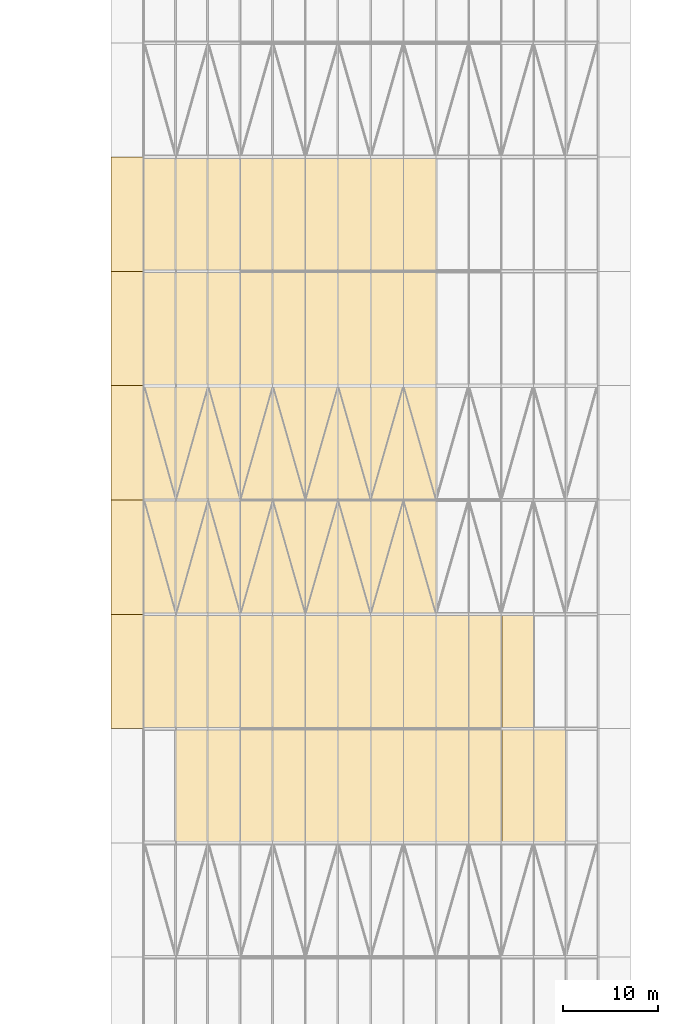
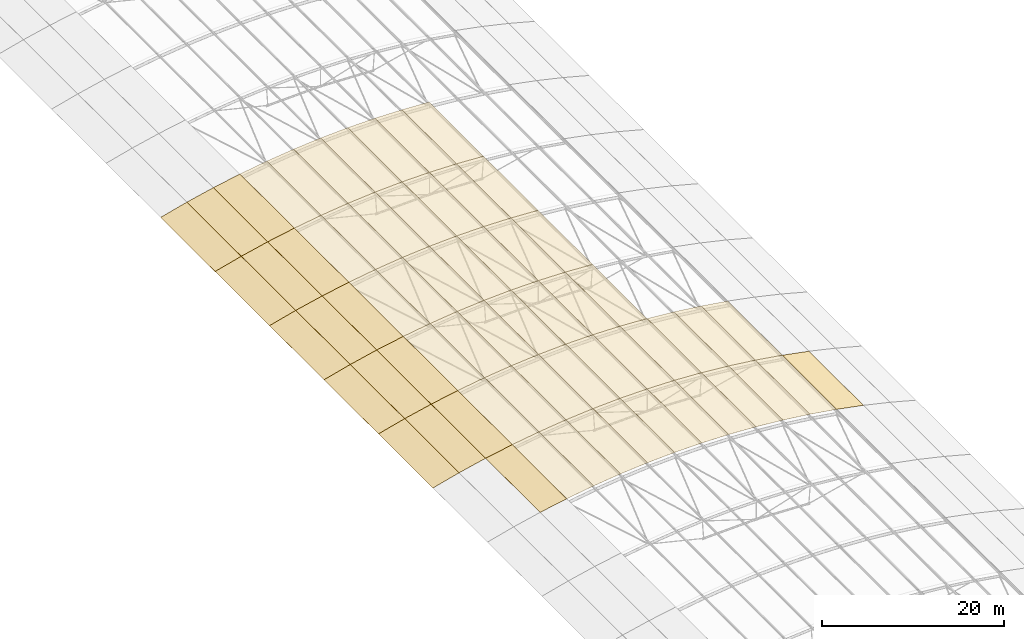
# One storey, part 87 of 91: 65 coverings.
"""IFC4 building model written with IfcOpenShell, lengths in metres."""

from ifc_helpers import new_model, si_unit, direction, frame, origin, place, context, subcontext, project, spatial, polyline, outline, extrude, material, layer, layer_set, type_object, element, save


model = new_model("IFC4")

# Units and contexts
model_context = context("Model", 3, precision=1e-05, world=origin(), true_north=direction((0.0, 1.0)))
body_context = subcontext(model_context, "Body", "Model", "MODEL_VIEW")
ifc_project = project(units=[si_unit("LENGTHUNIT", "METRE"), si_unit("AREAUNIT", "SQUARE_METRE"), si_unit("VOLUMEUNIT", "CUBIC_METRE"), si_unit("PLANEANGLEUNIT", "RADIAN"), si_unit("MASSUNIT", "GRAM", prefix="KILO")], contexts=[model_context])

# Site, building, storey
site_placement = place(None, origin())
site = spatial("IfcSite", under=ifc_project, at=site_placement, CompositionType="ELEMENT")
building_placement = place(site_placement, origin())
building = spatial("IfcBuilding", under=site, at=building_placement, Name="Ravi Spectrum Wholesale Market", CompositionType="ELEMENT")
storey_placement = place(building_placement, frame((0.0, 0.0, 16.199951171875)))
storey = spatial("IfcBuildingStorey", under=building, at=storey_placement, Name="ROOF PLANT LEVEL", CompositionType="ELEMENT", Elevation=16.199951171875)

# Coverings
ifc_material = material(Name="Roofing membrane")
ifc_layer = layer(ifc_material, 0.008056640625)
ifc_layer_set = layer_set([ifc_layer], Name="Roofing membrane")
covering_type = type_object("IfcCoveringType", Name="Roofing membrane 8", PredefinedType="ROOFING", material=ifc_layer_set)
covering_1_placement = place(storey_placement, frame((49.4423828125, 78.0, 1.46630859375), z_axis=(-0.188563640263, 0.0, 0.98206097243), x_axis=(0.98206097243, 0.0, 0.188563640263)))
element("IfcCovering", 1, at=covering_1_placement, inside=storey, type_object=covering_type, Name="H1-CV-ROOF-067", PredefinedType="ROOFING", context=body_context, shape_type="SweptSolid", body=[
    extrude(outline(polyline([(0.0, 0.0), (3.446594172889141, 0.0), (3.446594172889141, 12.0), (0.0, 12.0), (0.0, 0.0)])), origin(), (0.0, 0.0, -1.0), 0.008056640625),
])
covering_2_placement = place(storey_placement, frame((52.83154296875, 78.0, 2.116943359375), z_axis=(-0.154638345742, 0.0, 0.987971144329), x_axis=(0.987971144329, 0.0, 0.154638345742)))
element("IfcCovering", 2, at=covering_2_placement, inside=storey, type_object=covering_type, Name="H1-CV-ROOF-068", PredefinedType="ROOFING", context=body_context, shape_type="SweptSolid", body=[
    extrude(outline(polyline([(0.0, 0.0), (3.446486586598458, 0.0), (3.446486586598458, 12.000000000000004), (0.0, 12.000000000000004), (0.0, 0.0)])), origin(), (0.0, 0.0, -1.0), 0.008056640625),
])
covering_3_placement = place(storey_placement, frame((56.240966796875, 78.0, 2.650634765625), z_axis=(-0.120415981986, 0.0, 0.992723522076), x_axis=(0.992723522076, 0.0, 0.120415981986)))
element("IfcCovering", 3, at=covering_3_placement, inside=storey, type_object=covering_type, Name="H1-CV-ROOF-069", PredefinedType="ROOFING", context=body_context, shape_type="SweptSolid", body=[
    extrude(outline(polyline([(0.0, 0.0), (3.446710774235079, 0.0), (3.446710774235079, 12.0), (0.0, 12.0), (0.0, 0.0)])), origin(), (0.0, 0.0, -1.0), 0.008056640625),
])
covering_4_placement = place(storey_placement, frame((59.6669921875, 78.0, 3.066162109375), z_axis=(-0.086134430501, 0.0, 0.996283523844), x_axis=(0.996283523844, 0.0, 0.086134430501)))
element("IfcCovering", 4, at=covering_4_placement, inside=storey, type_object=covering_type, Name="H1-CV-ROOF-070", PredefinedType="ROOFING", context=body_context, shape_type="SweptSolid", body=[
    extrude(outline(polyline([(0.0, 0.0), (3.4466472730346154, 0.0), (3.4466472730346154, 12.000000000000004), (0.0, 12.000000000000004), (0.0, 0.0)])), origin(), (0.0, 0.0, -1.0), 0.008056640625),
])
covering_5_placement = place(storey_placement, frame((63.105224609375, 78.0, 3.36328125), z_axis=(-0.051778101083, 0.0, 0.998658614467), x_axis=(0.998658614467, 0.0, 0.051778101083)))
element("IfcCovering", 5, at=covering_5_placement, inside=storey, type_object=covering_type, Name="H1-CV-ROOF-071", PredefinedType="ROOFING", context=body_context, shape_type="SweptSolid", body=[
    extrude(outline(polyline([(0.0, 0.0), (3.4467621087049527, 0.0), (3.4467621087049527, 11.999999999999998), (0.0, 11.999999999999998), (0.0, 0.0)])), origin(), (0.0, 0.0, -1.0), 0.008056640625),
])
for number, where, z_axis, x_axis, name in (
    (6, (66.5517578125, 78.0, 3.541748046875), (-0.017283992309, 0.0, 0.999850620648), (0.999850620648, 0.0, 0.017283992309), "H1-CV-ROOF-072"),
    (7, (70.002197265625, 78.0, 3.601318359375), (0.017283992309, 0.0, 0.999850620648), (0.999850620648, 0.0, -0.017283992309), "H1-CV-ROOF-073"),
):
    element("IfcCovering", number, at=place(storey_placement, frame(where, z_axis=z_axis, x_axis=x_axis)), inside=storey, type_object=covering_type, Name=name, PredefinedType="ROOFING", context=body_context, shape_type="SweptSolid", body=[
        extrude(outline(polyline([(0.0, 0.0), (3.4465597667401364, 0.0), (3.4465597667401364, 12.0), (0.0, 12.0), (0.0, 0.0)])), origin(), (0.0, 0.0, -1.0), 0.008056640625),
    ])
covering_6_placement = place(storey_placement, frame((73.45263671875, 78.0, 3.541748046875), z_axis=(0.051778101083, 0.0, 0.998658614467), x_axis=(0.998658614467, 0.0, -0.051778101083)))
element("IfcCovering", 8, at=covering_6_placement, inside=storey, type_object=covering_type, Name="H1-CV-ROOF-074", PredefinedType="ROOFING", context=body_context, shape_type="SweptSolid", body=[
    extrude(outline(polyline([(0.0, 0.0), (3.4467621087049527, 0.0), (3.4467621087049527, 11.999999999999998), (0.0, 11.999999999999998), (0.0, 0.0)])), origin(), (0.0, 0.0, -1.0), 0.008056640625),
])
covering_7_placement = place(storey_placement, frame((76.899169921875, 78.0, 3.363037109375), z_axis=(0.086134430501, 0.0, 0.996283523844), x_axis=(0.996283523844, 0.0, -0.086134430501)))
element("IfcCovering", 9, at=covering_7_placement, inside=storey, type_object=covering_type, Name="H1-CV-ROOF-075", PredefinedType="ROOFING", context=body_context, shape_type="SweptSolid", body=[
    extrude(outline(polyline([(0.0, 0.0), (3.4466472730346154, 0.0), (3.4466472730346154, 12.000000000000004), (0.0, 12.000000000000004), (0.0, 0.0)])), origin(), (0.0, 0.0, -1.0), 0.008056640625),
])
covering_8_placement = place(storey_placement, frame((80.33740234375, 78.0, 3.065673828125), z_axis=(0.120415981986, 0.0, 0.992723522076), x_axis=(0.992723522076, 0.0, -0.120415981986)))
element("IfcCovering", 10, at=covering_8_placement, inside=storey, type_object=covering_type, Name="H1-CV-ROOF-076", PredefinedType="ROOFING", context=body_context, shape_type="SweptSolid", body=[
    extrude(outline(polyline([(0.0, 0.0), (3.446710774235079, 0.0), (3.446710774235079, 12.0), (0.0, 12.0), (0.0, 0.0)])), origin(), (0.0, 0.0, -1.0), 0.008056640625),
])
covering_9_placement = place(storey_placement, frame((83.763427734375, 78.0, 2.64990234375), z_axis=(0.154638345742, 0.0, 0.987971144329), x_axis=(0.987971144329, 0.0, -0.154638345742)))
element("IfcCovering", 11, at=covering_9_placement, inside=storey, type_object=covering_type, Name="H1-CV-ROOF-077", PredefinedType="ROOFING", context=body_context, shape_type="SweptSolid", body=[
    extrude(outline(polyline([(0.0, 0.0), (3.446486586598458, 0.0), (3.446486586598458, 12.000000000000004), (0.0, 12.000000000000004), (0.0, 0.0)])), origin(), (0.0, 0.0, -1.0), 0.008056640625),
])
covering_10_placement = place(storey_placement, frame((87.1728515625, 78.0, 2.1162109375), z_axis=(0.188563640263, 0.0, 0.98206097243), x_axis=(0.98206097243, 0.0, -0.188563640263)))
element("IfcCovering", 12, at=covering_10_placement, inside=storey, type_object=covering_type, Name="H1-CV-ROOF-078", PredefinedType="ROOFING", context=body_context, shape_type="SweptSolid", body=[
    extrude(outline(polyline([(0.0, 0.0), (3.446594172889141, 0.0), (3.446594172889141, 12.0), (0.0, 12.0), (0.0, 0.0)])), origin(), (0.0, 0.0, -1.0), 0.008056640625),
])
covering_11_placement = place(storey_placement, frame((42.741455078125, 90.0, -0.18408203125), z_axis=(-0.255845834828, 0.0, 0.966717595165), x_axis=(0.966717595165, 0.0, 0.255845834828)))
element("IfcCovering", 13, at=covering_11_placement, inside=storey, type_object=covering_type, Name="H1-CV-ROOF-081", PredefinedType="ROOFING", context=body_context, shape_type="SweptSolid", body=[
    extrude(outline(polyline([(0.0, 0.0), (3.4467472886248953, 0.0), (3.4467472886248953, 12.0), (0.0, 12.0), (0.0, 0.0)])), origin(), (0.0, 0.0, -1.0), 0.008056640625),
])
covering_12_placement = place(storey_placement, frame((46.07763671875, 90.0, 0.698974609375), z_axis=(-0.222349705354, 0.0, 0.974966978174), x_axis=(0.974966978174, 0.0, 0.222349705354)))
element("IfcCovering", 14, at=covering_12_placement, inside=storey, type_object=covering_type, Name="H1-CV-ROOF-082", PredefinedType="ROOFING", context=body_context, shape_type="SweptSolid", body=[
    extrude(outline(polyline([(0.0, 0.0), (3.4466311554413664, 0.0), (3.4466311554413664, 12.0), (0.0, 12.0), (0.0, 0.0)])), origin(), (0.0, 0.0, -1.0), 0.008056640625),
])
covering_13_placement = place(storey_placement, frame((49.4423828125, 90.0, 1.46630859375), z_axis=(-0.188563640263, 0.0, 0.98206097243), x_axis=(0.98206097243, 0.0, 0.188563640263)))
element("IfcCovering", 15, at=covering_13_placement, inside=storey, type_object=covering_type, Name="H1-CV-ROOF-083", PredefinedType="ROOFING", context=body_context, shape_type="SweptSolid", body=[
    extrude(outline(polyline([(0.0, 0.0), (3.446594172889141, 0.0), (3.446594172889141, 12.0), (0.0, 12.0), (0.0, 0.0)])), origin(), (0.0, 0.0, -1.0), 0.008056640625),
])
covering_14_placement = place(storey_placement, frame((52.83154296875, 90.0, 2.116943359375), z_axis=(-0.154638345742, 0.0, 0.987971144329), x_axis=(0.987971144329, 0.0, 0.154638345742)))
element("IfcCovering", 16, at=covering_14_placement, inside=storey, type_object=covering_type, Name="H1-CV-ROOF-084", PredefinedType="ROOFING", context=body_context, shape_type="SweptSolid", body=[
    extrude(outline(polyline([(0.0, 0.0), (3.446486586598458, 0.0), (3.446486586598458, 12.000000000000004), (0.0, 12.000000000000004), (0.0, 0.0)])), origin(), (0.0, 0.0, -1.0), 0.008056640625),
])
covering_15_placement = place(storey_placement, frame((56.240966796875, 90.0, 2.650634765625), z_axis=(-0.120415981986, 0.0, 0.992723522076), x_axis=(0.992723522076, 0.0, 0.120415981986)))
element("IfcCovering", 17, at=covering_15_placement, inside=storey, type_object=covering_type, Name="H1-CV-ROOF-085", PredefinedType="ROOFING", context=body_context, shape_type="SweptSolid", body=[
    extrude(outline(polyline([(0.0, 0.0), (3.446710774235079, 0.0), (3.446710774235079, 12.0), (0.0, 12.0), (0.0, 0.0)])), origin(), (0.0, 0.0, -1.0), 0.008056640625),
])
covering_16_placement = place(storey_placement, frame((59.6669921875, 90.0, 3.066162109375), z_axis=(-0.086134430501, 0.0, 0.996283523844), x_axis=(0.996283523844, 0.0, 0.086134430501)))
element("IfcCovering", 18, at=covering_16_placement, inside=storey, type_object=covering_type, Name="H1-CV-ROOF-086", PredefinedType="ROOFING", context=body_context, shape_type="SweptSolid", body=[
    extrude(outline(polyline([(0.0, 0.0), (3.4466472730346154, 0.0), (3.4466472730346154, 12.000000000000004), (0.0, 12.000000000000004), (0.0, 0.0)])), origin(), (0.0, 0.0, -1.0), 0.008056640625),
])
covering_17_placement = place(storey_placement, frame((63.105224609375, 90.0, 3.36328125), z_axis=(-0.051778101083, 0.0, 0.998658614467), x_axis=(0.998658614467, 0.0, 0.051778101083)))
element("IfcCovering", 19, at=covering_17_placement, inside=storey, type_object=covering_type, Name="H1-CV-ROOF-087", PredefinedType="ROOFING", context=body_context, shape_type="SweptSolid", body=[
    extrude(outline(polyline([(0.0, 0.0), (3.4467621087049527, 0.0), (3.4467621087049527, 11.999999999999998), (0.0, 11.999999999999998), (0.0, 0.0)])), origin(), (0.0, 0.0, -1.0), 0.008056640625),
])
for number, where, z_axis, x_axis, name in (
    (20, (66.5517578125, 90.0, 3.541748046875), (-0.017283992309, 0.0, 0.999850620648), (0.999850620648, 0.0, 0.017283992309), "H1-CV-ROOF-088"),
    (21, (70.002197265625, 90.0, 3.601318359375), (0.017283992309, 0.0, 0.999850620648), (0.999850620648, 0.0, -0.017283992309), "H1-CV-ROOF-089"),
):
    element("IfcCovering", number, at=place(storey_placement, frame(where, z_axis=z_axis, x_axis=x_axis)), inside=storey, type_object=covering_type, Name=name, PredefinedType="ROOFING", context=body_context, shape_type="SweptSolid", body=[
        extrude(outline(polyline([(0.0, 0.0), (3.4465597667401364, 0.0), (3.4465597667401364, 12.0), (0.0, 12.0), (0.0, 0.0)])), origin(), (0.0, 0.0, -1.0), 0.008056640625),
    ])
covering_18_placement = place(storey_placement, frame((73.45263671875, 90.0, 3.541748046875), z_axis=(0.051778101083, 0.0, 0.998658614467), x_axis=(0.998658614467, 0.0, -0.051778101083)))
element("IfcCovering", 22, at=covering_18_placement, inside=storey, type_object=covering_type, Name="H1-CV-ROOF-090", PredefinedType="ROOFING", context=body_context, shape_type="SweptSolid", body=[
    extrude(outline(polyline([(0.0, 0.0), (3.4467621087049527, 0.0), (3.4467621087049527, 11.999999999999998), (0.0, 11.999999999999998), (0.0, 0.0)])), origin(), (0.0, 0.0, -1.0), 0.008056640625),
])
covering_19_placement = place(storey_placement, frame((76.899169921875, 90.0, 3.363037109375), z_axis=(0.086134430501, 0.0, 0.996283523844), x_axis=(0.996283523844, 0.0, -0.086134430501)))
element("IfcCovering", 23, at=covering_19_placement, inside=storey, type_object=covering_type, Name="H1-CV-ROOF-091", PredefinedType="ROOFING", context=body_context, shape_type="SweptSolid", body=[
    extrude(outline(polyline([(0.0, 0.0), (3.4466472730346154, 0.0), (3.4466472730346154, 12.000000000000004), (0.0, 12.000000000000004), (0.0, 0.0)])), origin(), (0.0, 0.0, -1.0), 0.008056640625),
])
covering_20_placement = place(storey_placement, frame((80.33740234375, 90.0, 3.065673828125), z_axis=(0.120415981986, 0.0, 0.992723522076), x_axis=(0.992723522076, 0.0, -0.120415981986)))
element("IfcCovering", 24, at=covering_20_placement, inside=storey, type_object=covering_type, Name="H1-CV-ROOF-092", PredefinedType="ROOFING", context=body_context, shape_type="SweptSolid", body=[
    extrude(outline(polyline([(0.0, 0.0), (3.446710774235079, 0.0), (3.446710774235079, 12.0), (0.0, 12.0), (0.0, 0.0)])), origin(), (0.0, 0.0, -1.0), 0.008056640625),
])
covering_21_placement = place(storey_placement, frame((83.763427734375, 90.0, 2.64990234375), z_axis=(0.154638345742, 0.0, 0.987971144329), x_axis=(0.987971144329, 0.0, -0.154638345742)))
element("IfcCovering", 25, at=covering_21_placement, inside=storey, type_object=covering_type, Name="H1-CV-ROOF-093", PredefinedType="ROOFING", context=body_context, shape_type="SweptSolid", body=[
    extrude(outline(polyline([(0.0, 0.0), (3.446486586598458, 0.0), (3.446486586598458, 12.000000000000004), (0.0, 12.000000000000004), (0.0, 0.0)])), origin(), (0.0, 0.0, -1.0), 0.008056640625),
])
covering_22_placement = place(storey_placement, frame((42.741455078125, 102.0, -0.18408203125), z_axis=(-0.255845834828, 0.0, 0.966717595165), x_axis=(0.966717595165, 0.0, 0.255845834828)))
element("IfcCovering", 26, at=covering_22_placement, inside=storey, type_object=covering_type, Name="H1-CV-ROOF-097", PredefinedType="ROOFING", context=body_context, shape_type="SweptSolid", body=[
    extrude(outline(polyline([(0.0, 0.0), (3.4467472886248953, 0.0), (3.4467472886248953, 12.0), (0.0, 12.0), (0.0, 0.0)])), origin(), (0.0, 0.0, -1.0), 0.008056640625),
])
covering_23_placement = place(storey_placement, frame((46.07763671875, 102.0, 0.698974609375), z_axis=(-0.222349705354, 0.0, 0.974966978174), x_axis=(0.974966978174, 0.0, 0.222349705354)))
element("IfcCovering", 27, at=covering_23_placement, inside=storey, type_object=covering_type, Name="H1-CV-ROOF-098", PredefinedType="ROOFING", context=body_context, shape_type="SweptSolid", body=[
    extrude(outline(polyline([(0.0, 0.0), (3.4466311554413664, 0.0), (3.4466311554413664, 12.0), (0.0, 12.0), (0.0, 0.0)])), origin(), (0.0, 0.0, -1.0), 0.008056640625),
])
covering_24_placement = place(storey_placement, frame((49.4423828125, 102.0, 1.46630859375), z_axis=(-0.188563640263, 0.0, 0.98206097243), x_axis=(0.98206097243, 0.0, 0.188563640263)))
element("IfcCovering", 28, at=covering_24_placement, inside=storey, type_object=covering_type, Name="H1-CV-ROOF-099", PredefinedType="ROOFING", context=body_context, shape_type="SweptSolid", body=[
    extrude(outline(polyline([(0.0, 0.0), (3.446594172889141, 0.0), (3.446594172889141, 12.0), (0.0, 12.0), (0.0, 0.0)])), origin(), (0.0, 0.0, -1.0), 0.008056640625),
])
covering_25_placement = place(storey_placement, frame((52.83154296875, 102.0, 2.116943359375), z_axis=(-0.154638345742, 0.0, 0.987971144329), x_axis=(0.987971144329, 0.0, 0.154638345742)))
element("IfcCovering", 29, at=covering_25_placement, inside=storey, type_object=covering_type, Name="H1-CV-ROOF-100", PredefinedType="ROOFING", context=body_context, shape_type="SweptSolid", body=[
    extrude(outline(polyline([(0.0, 0.0), (3.446486586598458, 0.0), (3.446486586598458, 12.000000000000004), (0.0, 12.000000000000004), (0.0, 0.0)])), origin(), (0.0, 0.0, -1.0), 0.008056640625),
])
covering_26_placement = place(storey_placement, frame((56.240966796875, 102.0, 2.650634765625), z_axis=(-0.120415981986, 0.0, 0.992723522076), x_axis=(0.992723522076, 0.0, 0.120415981986)))
element("IfcCovering", 30, at=covering_26_placement, inside=storey, type_object=covering_type, Name="H1-CV-ROOF-101", PredefinedType="ROOFING", context=body_context, shape_type="SweptSolid", body=[
    extrude(outline(polyline([(0.0, 0.0), (3.446710774235079, 0.0), (3.446710774235079, 12.0), (0.0, 12.0), (0.0, 0.0)])), origin(), (0.0, 0.0, -1.0), 0.008056640625),
])
covering_27_placement = place(storey_placement, frame((59.6669921875, 102.0, 3.066162109375), z_axis=(-0.086134430501, 0.0, 0.996283523844), x_axis=(0.996283523844, 0.0, 0.086134430501)))
element("IfcCovering", 31, at=covering_27_placement, inside=storey, type_object=covering_type, Name="H1-CV-ROOF-102", PredefinedType="ROOFING", context=body_context, shape_type="SweptSolid", body=[
    extrude(outline(polyline([(0.0, 0.0), (3.4466472730346154, 0.0), (3.4466472730346154, 12.000000000000004), (0.0, 12.000000000000004), (0.0, 0.0)])), origin(), (0.0, 0.0, -1.0), 0.008056640625),
])
covering_28_placement = place(storey_placement, frame((63.105224609375, 102.0, 3.36328125), z_axis=(-0.051778101083, 0.0, 0.998658614467), x_axis=(0.998658614467, 0.0, 0.051778101083)))
element("IfcCovering", 32, at=covering_28_placement, inside=storey, type_object=covering_type, Name="H1-CV-ROOF-103", PredefinedType="ROOFING", context=body_context, shape_type="SweptSolid", body=[
    extrude(outline(polyline([(0.0, 0.0), (3.4467621087049527, 0.0), (3.4467621087049527, 11.999999999999998), (0.0, 11.999999999999998), (0.0, 0.0)])), origin(), (0.0, 0.0, -1.0), 0.008056640625),
])
for number, where, z_axis, x_axis, name in (
    (33, (66.5517578125, 102.0, 3.541748046875), (-0.017283992309, 0.0, 0.999850620648), (0.999850620648, 0.0, 0.017283992309), "H1-CV-ROOF-104"),
    (34, (70.002197265625, 102.0, 3.601318359375), (0.017283992309, 0.0, 0.999850620648), (0.999850620648, 0.0, -0.017283992309), "H1-CV-ROOF-105"),
):
    element("IfcCovering", number, at=place(storey_placement, frame(where, z_axis=z_axis, x_axis=x_axis)), inside=storey, type_object=covering_type, Name=name, PredefinedType="ROOFING", context=body_context, shape_type="SweptSolid", body=[
        extrude(outline(polyline([(0.0, 0.0), (3.4465597667401364, 0.0), (3.4465597667401364, 12.0), (0.0, 12.0), (0.0, 0.0)])), origin(), (0.0, 0.0, -1.0), 0.008056640625),
    ])
covering_29_placement = place(storey_placement, frame((73.45263671875, 102.0, 3.541748046875), z_axis=(0.051778101083, 0.0, 0.998658614467), x_axis=(0.998658614467, 0.0, -0.051778101083)))
element("IfcCovering", 35, at=covering_29_placement, inside=storey, type_object=covering_type, Name="H1-CV-ROOF-106", PredefinedType="ROOFING", context=body_context, shape_type="SweptSolid", body=[
    extrude(outline(polyline([(0.0, 0.0), (3.4467621087049527, 0.0), (3.4467621087049527, 11.999999999999998), (0.0, 11.999999999999998), (0.0, 0.0)])), origin(), (0.0, 0.0, -1.0), 0.008056640625),
])
covering_30_placement = place(storey_placement, frame((42.741455078125, 114.0, -0.18408203125), z_axis=(-0.255845834828, 0.0, 0.966717595165), x_axis=(0.966717595165, 0.0, 0.255845834828)))
element("IfcCovering", 36, at=covering_30_placement, inside=storey, type_object=covering_type, Name="H1-CV-ROOF-113", PredefinedType="ROOFING", context=body_context, shape_type="SweptSolid", body=[
    extrude(outline(polyline([(0.0, 0.0), (3.4467472886248953, 0.0), (3.4467472886248953, 12.0), (0.0, 12.0), (0.0, 0.0)])), origin(), (0.0, 0.0, -1.0), 0.008056640625),
])
covering_31_placement = place(storey_placement, frame((46.07763671875, 114.0, 0.698974609375), z_axis=(-0.222349705354, 0.0, 0.974966978174), x_axis=(0.974966978174, 0.0, 0.222349705354)))
element("IfcCovering", 37, at=covering_31_placement, inside=storey, type_object=covering_type, Name="H1-CV-ROOF-114", PredefinedType="ROOFING", context=body_context, shape_type="SweptSolid", body=[
    extrude(outline(polyline([(0.0, 0.0), (3.4466311554413664, 0.0), (3.4466311554413664, 12.0), (0.0, 12.0), (0.0, 0.0)])), origin(), (0.0, 0.0, -1.0), 0.008056640625),
])
covering_32_placement = place(storey_placement, frame((49.4423828125, 114.0, 1.46630859375), z_axis=(-0.188563640263, 0.0, 0.98206097243), x_axis=(0.98206097243, 0.0, 0.188563640263)))
element("IfcCovering", 38, at=covering_32_placement, inside=storey, type_object=covering_type, Name="H1-CV-ROOF-115", PredefinedType="ROOFING", context=body_context, shape_type="SweptSolid", body=[
    extrude(outline(polyline([(0.0, 0.0), (3.446594172889141, 0.0), (3.446594172889141, 12.0), (0.0, 12.0), (0.0, 0.0)])), origin(), (0.0, 0.0, -1.0), 0.008056640625),
])
covering_33_placement = place(storey_placement, frame((52.83154296875, 114.0, 2.116943359375), z_axis=(-0.154638345742, 0.0, 0.987971144329), x_axis=(0.987971144329, 0.0, 0.154638345742)))
element("IfcCovering", 39, at=covering_33_placement, inside=storey, type_object=covering_type, Name="H1-CV-ROOF-116", PredefinedType="ROOFING", context=body_context, shape_type="SweptSolid", body=[
    extrude(outline(polyline([(0.0, 0.0), (3.446486586598458, 0.0), (3.446486586598458, 12.000000000000004), (0.0, 12.000000000000004), (0.0, 0.0)])), origin(), (0.0, 0.0, -1.0), 0.008056640625),
])
covering_34_placement = place(storey_placement, frame((56.240966796875, 114.0, 2.650634765625), z_axis=(-0.120415981986, 0.0, 0.992723522076), x_axis=(0.992723522076, 0.0, 0.120415981986)))
element("IfcCovering", 40, at=covering_34_placement, inside=storey, type_object=covering_type, Name="H1-CV-ROOF-117", PredefinedType="ROOFING", context=body_context, shape_type="SweptSolid", body=[
    extrude(outline(polyline([(0.0, 0.0), (3.446710774235079, 0.0), (3.446710774235079, 12.0), (0.0, 12.0), (0.0, 0.0)])), origin(), (0.0, 0.0, -1.0), 0.008056640625),
])
covering_35_placement = place(storey_placement, frame((59.6669921875, 114.0, 3.066162109375), z_axis=(-0.086134430501, 0.0, 0.996283523844), x_axis=(0.996283523844, 0.0, 0.086134430501)))
element("IfcCovering", 41, at=covering_35_placement, inside=storey, type_object=covering_type, Name="H1-CV-ROOF-118", PredefinedType="ROOFING", context=body_context, shape_type="SweptSolid", body=[
    extrude(outline(polyline([(0.0, 0.0), (3.4466472730346154, 0.0), (3.4466472730346154, 12.000000000000004), (0.0, 12.000000000000004), (0.0, 0.0)])), origin(), (0.0, 0.0, -1.0), 0.008056640625),
])
covering_36_placement = place(storey_placement, frame((63.105224609375, 114.0, 3.36328125), z_axis=(-0.051778101083, 0.0, 0.998658614467), x_axis=(0.998658614467, 0.0, 0.051778101083)))
element("IfcCovering", 42, at=covering_36_placement, inside=storey, type_object=covering_type, Name="H1-CV-ROOF-119", PredefinedType="ROOFING", context=body_context, shape_type="SweptSolid", body=[
    extrude(outline(polyline([(0.0, 0.0), (3.4467621087049527, 0.0), (3.4467621087049527, 11.999999999999998), (0.0, 11.999999999999998), (0.0, 0.0)])), origin(), (0.0, 0.0, -1.0), 0.008056640625),
])
for number, where, z_axis, x_axis, name in (
    (43, (66.5517578125, 114.0, 3.541748046875), (-0.017283992309, 0.0, 0.999850620648), (0.999850620648, 0.0, 0.017283992309), "H1-CV-ROOF-120"),
    (44, (70.002197265625, 114.0, 3.601318359375), (0.017283992309, 0.0, 0.999850620648), (0.999850620648, 0.0, -0.017283992309), "H1-CV-ROOF-121"),
):
    element("IfcCovering", number, at=place(storey_placement, frame(where, z_axis=z_axis, x_axis=x_axis)), inside=storey, type_object=covering_type, Name=name, PredefinedType="ROOFING", context=body_context, shape_type="SweptSolid", body=[
        extrude(outline(polyline([(0.0, 0.0), (3.4465597667401364, 0.0), (3.4465597667401364, 12.0), (0.0, 12.0), (0.0, 0.0)])), origin(), (0.0, 0.0, -1.0), 0.008056640625),
    ])
covering_37_placement = place(storey_placement, frame((73.45263671875, 114.0, 3.541748046875), z_axis=(0.051778101083, 0.0, 0.998658614467), x_axis=(0.998658614467, 0.0, -0.051778101083)))
element("IfcCovering", 45, at=covering_37_placement, inside=storey, type_object=covering_type, Name="H1-CV-ROOF-122", PredefinedType="ROOFING", context=body_context, shape_type="SweptSolid", body=[
    extrude(outline(polyline([(0.0, 0.0), (3.4467621087049527, 0.0), (3.4467621087049527, 11.999999999999998), (0.0, 11.999999999999998), (0.0, 0.0)])), origin(), (0.0, 0.0, -1.0), 0.008056640625),
])
covering_38_placement = place(storey_placement, frame((42.741455078125, 126.0, -0.18408203125), z_axis=(-0.255845834828, 0.0, 0.966717595165), x_axis=(0.966717595165, 0.0, 0.255845834828)))
element("IfcCovering", 46, at=covering_38_placement, inside=storey, type_object=covering_type, Name="H1-CV-ROOF-129", PredefinedType="ROOFING", context=body_context, shape_type="SweptSolid", body=[
    extrude(outline(polyline([(0.0, 0.0), (3.4467472886248953, 0.0), (3.4467472886248953, 12.0), (0.0, 12.0), (0.0, 0.0)])), origin(), (0.0, 0.0, -1.0), 0.008056640625),
])
covering_39_placement = place(storey_placement, frame((46.07763671875, 126.0, 0.698974609375), z_axis=(-0.222349705354, 0.0, 0.974966978174), x_axis=(0.974966978174, 0.0, 0.222349705354)))
element("IfcCovering", 47, at=covering_39_placement, inside=storey, type_object=covering_type, Name="H1-CV-ROOF-130", PredefinedType="ROOFING", context=body_context, shape_type="SweptSolid", body=[
    extrude(outline(polyline([(0.0, 0.0), (3.4466311554413664, 0.0), (3.4466311554413664, 12.0), (0.0, 12.0), (0.0, 0.0)])), origin(), (0.0, 0.0, -1.0), 0.008056640625),
])
covering_40_placement = place(storey_placement, frame((49.4423828125, 126.0, 1.46630859375), z_axis=(-0.188563640263, 0.0, 0.98206097243), x_axis=(0.98206097243, 0.0, 0.188563640263)))
element("IfcCovering", 48, at=covering_40_placement, inside=storey, type_object=covering_type, Name="H1-CV-ROOF-131", PredefinedType="ROOFING", context=body_context, shape_type="SweptSolid", body=[
    extrude(outline(polyline([(0.0, 0.0), (3.446594172889141, 0.0), (3.446594172889141, 12.0), (0.0, 12.0), (0.0, 0.0)])), origin(), (0.0, 0.0, -1.0), 0.008056640625),
])
covering_41_placement = place(storey_placement, frame((52.83154296875, 126.0, 2.116943359375), z_axis=(-0.154638345742, 0.0, 0.987971144329), x_axis=(0.987971144329, 0.0, 0.154638345742)))
element("IfcCovering", 49, at=covering_41_placement, inside=storey, type_object=covering_type, Name="H1-CV-ROOF-132", PredefinedType="ROOFING", context=body_context, shape_type="SweptSolid", body=[
    extrude(outline(polyline([(0.0, 0.0), (3.446486586598458, 0.0), (3.446486586598458, 12.000000000000004), (0.0, 12.000000000000004), (0.0, 0.0)])), origin(), (0.0, 0.0, -1.0), 0.008056640625),
])
covering_42_placement = place(storey_placement, frame((56.240966796875, 126.0, 2.650634765625), z_axis=(-0.120415981986, 0.0, 0.992723522076), x_axis=(0.992723522076, 0.0, 0.120415981986)))
element("IfcCovering", 50, at=covering_42_placement, inside=storey, type_object=covering_type, Name="H1-CV-ROOF-133", PredefinedType="ROOFING", context=body_context, shape_type="SweptSolid", body=[
    extrude(outline(polyline([(0.0, 0.0), (3.446710774235079, 0.0), (3.446710774235079, 12.0), (0.0, 12.0), (0.0, 0.0)])), origin(), (0.0, 0.0, -1.0), 0.008056640625),
])
covering_43_placement = place(storey_placement, frame((59.6669921875, 126.0, 3.066162109375), z_axis=(-0.086134430501, 0.0, 0.996283523844), x_axis=(0.996283523844, 0.0, 0.086134430501)))
element("IfcCovering", 51, at=covering_43_placement, inside=storey, type_object=covering_type, Name="H1-CV-ROOF-134", PredefinedType="ROOFING", context=body_context, shape_type="SweptSolid", body=[
    extrude(outline(polyline([(0.0, 0.0), (3.4466472730346154, 0.0), (3.4466472730346154, 12.000000000000004), (0.0, 12.000000000000004), (0.0, 0.0)])), origin(), (0.0, 0.0, -1.0), 0.008056640625),
])
covering_44_placement = place(storey_placement, frame((63.105224609375, 126.0, 3.36328125), z_axis=(-0.051778101083, 0.0, 0.998658614467), x_axis=(0.998658614467, 0.0, 0.051778101083)))
element("IfcCovering", 52, at=covering_44_placement, inside=storey, type_object=covering_type, Name="H1-CV-ROOF-135", PredefinedType="ROOFING", context=body_context, shape_type="SweptSolid", body=[
    extrude(outline(polyline([(0.0, 0.0), (3.4467621087049527, 0.0), (3.4467621087049527, 11.999999999999998), (0.0, 11.999999999999998), (0.0, 0.0)])), origin(), (0.0, 0.0, -1.0), 0.008056640625),
])
for number, where, z_axis, x_axis, name in (
    (53, (66.5517578125, 126.0, 3.541748046875), (-0.017283992309, 0.0, 0.999850620648), (0.999850620648, 0.0, 0.017283992309), "H1-CV-ROOF-136"),
    (54, (70.002197265625, 126.0, 3.601318359375), (0.017283992309, 0.0, 0.999850620648), (0.999850620648, 0.0, -0.017283992309), "H1-CV-ROOF-137"),
):
    element("IfcCovering", number, at=place(storey_placement, frame(where, z_axis=z_axis, x_axis=x_axis)), inside=storey, type_object=covering_type, Name=name, PredefinedType="ROOFING", context=body_context, shape_type="SweptSolid", body=[
        extrude(outline(polyline([(0.0, 0.0), (3.4465597667401364, 0.0), (3.4465597667401364, 12.0), (0.0, 12.0), (0.0, 0.0)])), origin(), (0.0, 0.0, -1.0), 0.008056640625),
    ])
covering_45_placement = place(storey_placement, frame((73.45263671875, 126.0, 3.541748046875), z_axis=(0.051778101083, 0.0, 0.998658614467), x_axis=(0.998658614467, 0.0, -0.051778101083)))
element("IfcCovering", 55, at=covering_45_placement, inside=storey, type_object=covering_type, Name="H1-CV-ROOF-138", PredefinedType="ROOFING", context=body_context, shape_type="SweptSolid", body=[
    extrude(outline(polyline([(0.0, 0.0), (3.4467621087049527, 0.0), (3.4467621087049527, 11.999999999999998), (0.0, 11.999999999999998), (0.0, 0.0)])), origin(), (0.0, 0.0, -1.0), 0.008056640625),
])
covering_46_placement = place(storey_placement, frame((42.741455078125, 138.0, -0.18408203125), z_axis=(-0.255845834828, 0.0, 0.966717595165), x_axis=(0.966717595165, 0.0, 0.255845834828)))
element("IfcCovering", 56, at=covering_46_placement, inside=storey, type_object=covering_type, Name="H1-CV-ROOF-145", PredefinedType="ROOFING", context=body_context, shape_type="SweptSolid", body=[
    extrude(outline(polyline([(0.0, 0.0), (3.4467472886248953, 0.0), (3.4467472886248953, 12.0), (0.0, 12.0), (0.0, 0.0)])), origin(), (0.0, 0.0, -1.0), 0.008056640625),
])
covering_47_placement = place(storey_placement, frame((46.07763671875, 138.0, 0.698974609375), z_axis=(-0.222349705354, 0.0, 0.974966978174), x_axis=(0.974966978174, 0.0, 0.222349705354)))
element("IfcCovering", 57, at=covering_47_placement, inside=storey, type_object=covering_type, Name="H1-CV-ROOF-146", PredefinedType="ROOFING", context=body_context, shape_type="SweptSolid", body=[
    extrude(outline(polyline([(0.0, 0.0), (3.4466311554413664, 0.0), (3.4466311554413664, 12.0), (0.0, 12.0), (0.0, 0.0)])), origin(), (0.0, 0.0, -1.0), 0.008056640625),
])
covering_48_placement = place(storey_placement, frame((49.4423828125, 138.0, 1.46630859375), z_axis=(-0.188563640263, 0.0, 0.98206097243), x_axis=(0.98206097243, 0.0, 0.188563640263)))
element("IfcCovering", 58, at=covering_48_placement, inside=storey, type_object=covering_type, Name="H1-CV-ROOF-147", PredefinedType="ROOFING", context=body_context, shape_type="SweptSolid", body=[
    extrude(outline(polyline([(0.0, 0.0), (3.446594172889141, 0.0), (3.446594172889141, 12.0), (0.0, 12.0), (0.0, 0.0)])), origin(), (0.0, 0.0, -1.0), 0.008056640625),
])
covering_49_placement = place(storey_placement, frame((52.83154296875, 138.0, 2.116943359375), z_axis=(-0.154638345742, 0.0, 0.987971144329), x_axis=(0.987971144329, 0.0, 0.154638345742)))
element("IfcCovering", 59, at=covering_49_placement, inside=storey, type_object=covering_type, Name="H1-CV-ROOF-148", PredefinedType="ROOFING", context=body_context, shape_type="SweptSolid", body=[
    extrude(outline(polyline([(0.0, 0.0), (3.446486586598458, 0.0), (3.446486586598458, 12.000000000000004), (0.0, 12.000000000000004), (0.0, 0.0)])), origin(), (0.0, 0.0, -1.0), 0.008056640625),
])
covering_50_placement = place(storey_placement, frame((56.240966796875, 138.0, 2.650634765625), z_axis=(-0.120415981986, 0.0, 0.992723522076), x_axis=(0.992723522076, 0.0, 0.120415981986)))
element("IfcCovering", 60, at=covering_50_placement, inside=storey, type_object=covering_type, Name="H1-CV-ROOF-149", PredefinedType="ROOFING", context=body_context, shape_type="SweptSolid", body=[
    extrude(outline(polyline([(0.0, 0.0), (3.446710774235079, 0.0), (3.446710774235079, 12.0), (0.0, 12.0), (0.0, 0.0)])), origin(), (0.0, 0.0, -1.0), 0.008056640625),
])
covering_51_placement = place(storey_placement, frame((59.6669921875, 138.0, 3.066162109375), z_axis=(-0.086134430501, 0.0, 0.996283523844), x_axis=(0.996283523844, 0.0, 0.086134430501)))
element("IfcCovering", 61, at=covering_51_placement, inside=storey, type_object=covering_type, Name="H1-CV-ROOF-150", PredefinedType="ROOFING", context=body_context, shape_type="SweptSolid", body=[
    extrude(outline(polyline([(0.0, 0.0), (3.4466472730346154, 0.0), (3.4466472730346154, 12.000000000000004), (0.0, 12.000000000000004), (0.0, 0.0)])), origin(), (0.0, 0.0, -1.0), 0.008056640625),
])
covering_52_placement = place(storey_placement, frame((63.105224609375, 138.0, 3.36328125), z_axis=(-0.051778101083, 0.0, 0.998658614467), x_axis=(0.998658614467, 0.0, 0.051778101083)))
element("IfcCovering", 62, at=covering_52_placement, inside=storey, type_object=covering_type, Name="H1-CV-ROOF-151", PredefinedType="ROOFING", context=body_context, shape_type="SweptSolid", body=[
    extrude(outline(polyline([(0.0, 0.0), (3.4467621087049527, 0.0), (3.4467621087049527, 11.999999999999998), (0.0, 11.999999999999998), (0.0, 0.0)])), origin(), (0.0, 0.0, -1.0), 0.008056640625),
])
for number, where, z_axis, x_axis, name in (
    (63, (66.5517578125, 138.0, 3.541748046875), (-0.017283992309, 0.0, 0.999850620648), (0.999850620648, 0.0, 0.017283992309), "H1-CV-ROOF-152"),
    (64, (70.002197265625, 138.0, 3.601318359375), (0.017283992309, 0.0, 0.999850620648), (0.999850620648, 0.0, -0.017283992309), "H1-CV-ROOF-153"),
):
    element("IfcCovering", number, at=place(storey_placement, frame(where, z_axis=z_axis, x_axis=x_axis)), inside=storey, type_object=covering_type, Name=name, PredefinedType="ROOFING", context=body_context, shape_type="SweptSolid", body=[
        extrude(outline(polyline([(0.0, 0.0), (3.4465597667401364, 0.0), (3.4465597667401364, 12.0), (0.0, 12.0), (0.0, 0.0)])), origin(), (0.0, 0.0, -1.0), 0.008056640625),
    ])
covering_53_placement = place(storey_placement, frame((73.45263671875, 138.0, 3.541748046875), z_axis=(0.051778101083, 0.0, 0.998658614467), x_axis=(0.998658614467, 0.0, -0.051778101083)))
element("IfcCovering", 65, at=covering_53_placement, inside=storey, type_object=covering_type, Name="H1-CV-ROOF-154", PredefinedType="ROOFING", context=body_context, shape_type="SweptSolid", body=[
    extrude(outline(polyline([(0.0, 0.0), (3.4467621087049527, 0.0), (3.4467621087049527, 11.999999999999998), (0.0, 11.999999999999998), (0.0, 0.0)])), origin(), (0.0, 0.0, -1.0), 0.008056640625),
])

save(model, "model.ifc")
